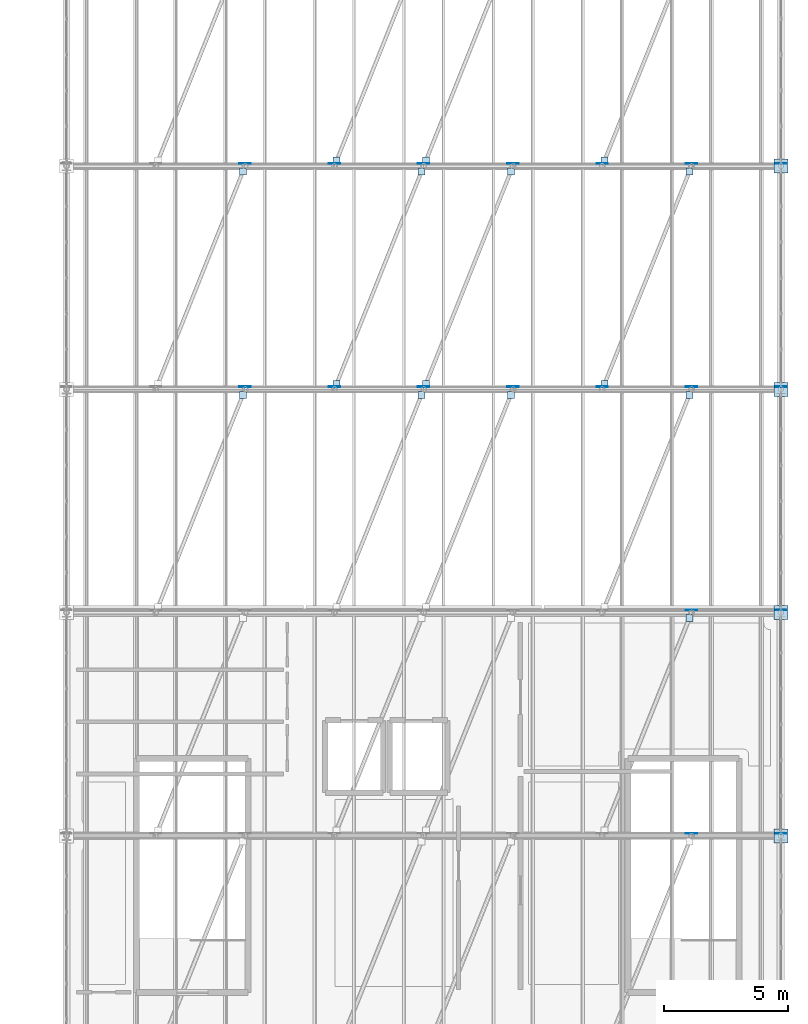
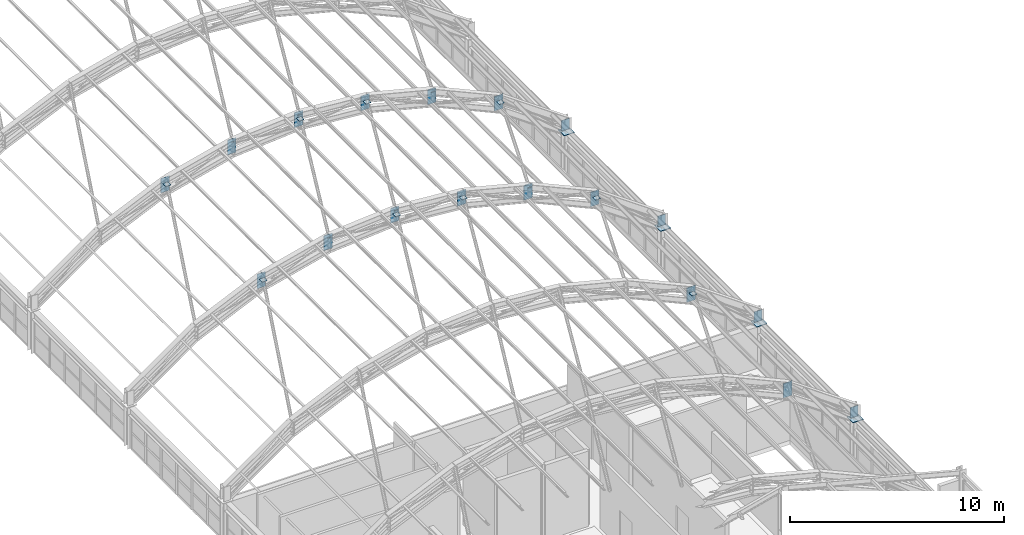
# One storey, part 110 of 121: 37 plates.
"""IFC4 building model written with IfcOpenShell, lengths in metres."""

from ifc_helpers import new_model, si_unit, direction, frame, origin, origin_2d, place, context, subcontext, project, spatial, rectangle, extrude, material, layer, layer_set, type_object, element, save


model = new_model("IFC4")

# Units and contexts
model_context = context("Model", 3, precision=1e-05, world=origin(), true_north=direction((0.0, 1.0)))
body_context = subcontext(model_context, "Body", "Model", "MODEL_VIEW")
ifc_project = project(units=[si_unit("LENGTHUNIT", "METRE"), si_unit("AREAUNIT", "SQUARE_METRE"), si_unit("VOLUMEUNIT", "CUBIC_METRE"), si_unit("PLANEANGLEUNIT", "RADIAN"), si_unit("MASSUNIT", "GRAM", prefix="KILO")], contexts=[model_context])

# Site, building, storey
site_placement = place(None, origin())
site = spatial("IfcSite", under=ifc_project, at=site_placement, CompositionType="ELEMENT")
building_placement = place(site_placement, origin())
building = spatial("IfcBuilding", under=site, at=building_placement, Name="Canglan Escarpment Cableway Terminal", CompositionType="ELEMENT")
storey_placement = place(building_placement, frame((0.0, 0.0, 24.60009765625)))
storey = spatial("IfcBuildingStorey", under=building, at=storey_placement, Name="L05", CompositionType="ELEMENT", Elevation=24.60009765625)

# Plates
ifc_material = material(Name="Steel Q355B", Category="steel")
ifc_layer_1 = layer(ifc_material, 0.031982421875, Name="Steel Q355B")
ifc_layer_set_1 = layer_set([ifc_layer_1], Name="Steel Q355B")
plate_type_1 = type_object("IfcPlateType", Name="PLT-BASE-32", PredefinedType="USERDEFINED", material=ifc_layer_set_1)
for number, where, z_axis, x_axis, name in (
    (1, (166.39990234375, 43.0, 2.4326171875), (0.0, 0.0, 1.0), (1.0, 0.0, 0.0), "Arch springing base plate BP-01"),
    (2, (166.39990234375, 52.0, 2.4326171875), (0.0, 0.0, 1.0), (1.0, 0.0, 0.0), "Arch springing base plate BP-01"),
    (3, (166.39990234375, 61.0, 2.4326171875), (0.0, 0.0, 1.0), (1.0, 0.0, 0.0), "Arch springing base plate BP-01"),
    (4, (166.39990234375, 70.0, 2.4326171875), (0.0, 0.0, 1.0), (1.0, 0.0, 0.0), "Arch springing base plate BP-01"),
):
    element("IfcPlate", number, at=place(storey_placement, frame(where, z_axis=z_axis, x_axis=x_axis)), inside=storey, type_object=plate_type_1, Name=name, ObjectType="BASE PLATE", PredefinedType="USERDEFINED", context=body_context, shape_type="SweptSolid", body=[
        extrude(rectangle(XDim=0.56005859375, YDim=0.56005859375, at=origin_2d()), origin(), (0.0, 0.0, 1.0), 0.031982421875),
    ])
ifc_layer_2 = layer(ifc_material, 0.01611328125, Name="Steel Q355B")
ifc_layer_set_2 = layer_set([ifc_layer_2], Name="Steel Q355B")
plate_type_2 = type_object("IfcPlateType", Name="PLT-GUSSET-16", PredefinedType="USERDEFINED", material=ifc_layer_set_2)
for number, where, z_axis, x_axis, name in (
    (5, (162.7109375, 51.777099609375, 5.5185546875), (0.0, 0.0, 1.0), (1.0, 0.0, 0.0), "Roof wind brace end gusset plate GP-03"),
    (6, (144.7109375, 60.777099609375, 7.140380859375), (0.0, 0.0, 1.0), (1.0, 0.0, 0.0), "Roof wind brace end gusset plate GP-03"),
    (7, (151.910888671875, 60.777099609375, 8.351806640625), (0.0, 0.0, 1.0), (1.0, 0.0, 0.0), "Roof wind brace end gusset plate GP-03"),
    (8, (155.510986328125, 60.777099609375, 8.055419921875), (0.0, 0.0, 1.0), (1.0, 0.0, 0.0), "Roof wind brace end gusset plate GP-03"),
    (9, (162.7109375, 60.777099609375, 5.5185546875), (0.0, 0.0, 1.0), (1.0, 0.0, 0.0), "Roof wind brace end gusset plate GP-03"),
    (10, (144.7109375, 69.777099609375, 7.140380859375), (0.0, 0.0, 1.0), (1.0, 0.0, 0.0), "Roof wind brace end gusset plate GP-03"),
    (11, (148.489013671875, 61.222900390625, 8.055419921875), (0.0, 0.0, 1.0), (1.0, 0.0, 0.0), "Roof wind brace end gusset plate GP-03"),
    (12, (151.910888671875, 69.777099609375, 8.351806640625), (0.0, 0.0, 1.0), (1.0, 0.0, 0.0), "Roof wind brace end gusset plate GP-03"),
    (13, (152.089111328125, 61.222900390625, 8.351806640625), (0.0, 0.0, 1.0), (1.0, 0.0, 0.0), "Roof wind brace end gusset plate GP-03"),
    (14, (155.510986328125, 69.777099609375, 8.055419921875), (0.0, 0.0, 1.0), (1.0, 0.0, 0.0), "Roof wind brace end gusset plate GP-03"),
    (15, (159.2890625, 61.222900390625, 7.140380859375), (0.0, 0.0, 1.0), (1.0, 0.0, 0.0), "Roof wind brace end gusset plate GP-03"),
    (16, (162.7109375, 69.777099609375, 5.5185546875), (0.0, 0.0, 1.0), (1.0, 0.0, 0.0), "Roof wind brace end gusset plate GP-03"),
    (17, (148.489013671875, 70.222900390625, 8.055419921875), (0.0, 0.0, 1.0), (1.0, 0.0, 0.0), "Roof wind brace end gusset plate GP-03"),
    (18, (152.089111328125, 70.222900390625, 8.351806640625), (0.0, 0.0, 1.0), (1.0, 0.0, 0.0), "Roof wind brace end gusset plate GP-03"),
    (19, (159.2890625, 70.222900390625, 7.140380859375), (0.0, 0.0, 1.0), (1.0, 0.0, 0.0), "Roof wind brace end gusset plate GP-03"),
):
    element("IfcPlate", number, at=place(storey_placement, frame(where, z_axis=z_axis, x_axis=x_axis)), inside=storey, type_object=plate_type_2, Name=name, ObjectType="GUSSET PLATE", PredefinedType="USERDEFINED", context=body_context, shape_type="SweptSolid", body=[
        extrude(rectangle(XDim=0.280029296875, YDim=0.280029296875, at=origin_2d()), origin(), (0.0, 0.0, 1.0), 0.01611328125),
    ])
ifc_layer_3 = layer(ifc_material, 0.02392578125, Name="Steel Q355B")
ifc_layer_set_3 = layer_set([ifc_layer_3], Name="Steel Q355B")
plate_type_3 = type_object("IfcPlateType", Name="PLT-GUSSET-24", PredefinedType="USERDEFINED", material=ifc_layer_set_3)
plate_1_placement = place(storey_placement, frame((162.800048828125, 43.10498046875, 4.87646484375), z_axis=(0.0, 0.0, 1.0), x_axis=(1.0, 0.0, 0.0)))
element("IfcPlate", 20, at=plate_1_placement, inside=storey, type_object=plate_type_3, Name="Arch-truss node gusset plate GP-01", ObjectType="GUSSET PLATE", PredefinedType="USERDEFINED", context=body_context, shape_type="SweptSolid", body=[
    extrude(rectangle(XDim=0.4599609375, YDim=0.02392578125, at=origin_2d()), origin(), (0.0, 0.0, 1.0), 0.830078125),
])
plate_2_placement = place(storey_placement, frame((166.39990234375, 43.10498046875, 2.4521484375), z_axis=(0.0, 0.0, 1.0), x_axis=(1.0, 0.0, 0.0)))
element("IfcPlate", 21, at=plate_2_placement, inside=storey, type_object=plate_type_3, Name="Arch-truss springing gusset plate GP-01", ObjectType="GUSSET PLATE", PredefinedType="USERDEFINED", context=body_context, shape_type="SweptSolid", body=[
    extrude(rectangle(XDim=0.419921875, YDim=0.02392578125, at=origin_2d()), origin(), (0.0, 0.0, 1.0), 0.610107421875),
])
plate_3_placement = place(storey_placement, frame((162.800048828125, 52.10498046875, 4.87646484375), z_axis=(0.0, 0.0, 1.0), x_axis=(1.0, 0.0, 0.0)))
element("IfcPlate", 22, at=plate_3_placement, inside=storey, type_object=plate_type_3, Name="Arch-truss node gusset plate GP-01", ObjectType="GUSSET PLATE", PredefinedType="USERDEFINED", context=body_context, shape_type="SweptSolid", body=[
    extrude(rectangle(XDim=0.4599609375, YDim=0.02392578125, at=origin_2d()), origin(), (0.0, 0.0, 1.0), 0.830078125),
])
plate_4_placement = place(storey_placement, frame((166.39990234375, 52.10498046875, 2.4521484375), z_axis=(0.0, 0.0, 1.0), x_axis=(1.0, 0.0, 0.0)))
element("IfcPlate", 23, at=plate_4_placement, inside=storey, type_object=plate_type_3, Name="Arch-truss springing gusset plate GP-01", ObjectType="GUSSET PLATE", PredefinedType="USERDEFINED", context=body_context, shape_type="SweptSolid", body=[
    extrude(rectangle(XDim=0.419921875, YDim=0.02392578125, at=origin_2d()), origin(), (0.0, 0.0, 1.0), 0.610107421875),
])
for number, where, z_axis, x_axis, name in (
    (24, (144.800048828125, 61.10498046875, 6.498291015625), (0.0, 0.0, 1.0), (1.0, 0.0, 0.0), "Arch-truss node gusset plate GP-01"),
    (25, (148.39990234375, 61.10498046875, 7.413330078125), (0.0, 0.0, 1.0), (1.0, 0.0, 0.0), "Arch-truss node gusset plate GP-01"),
    (26, (152.0, 61.10498046875, 7.7099609375), (0.0, 0.0, 1.0), (1.0, 0.0, 0.0), "Arch-truss node gusset plate GP-01"),
    (27, (155.60009765625, 61.10498046875, 7.413330078125), (0.0, 0.0, 1.0), (1.0, 0.0, 0.0), "Arch-truss node gusset plate GP-01"),
    (28, (159.199951171875, 61.10498046875, 6.498291015625), (0.0, 0.0, 1.0), (1.0, 0.0, 0.0), "Arch-truss node gusset plate GP-01"),
    (29, (162.800048828125, 61.10498046875, 4.87646484375), (0.0, 0.0, 1.0), (1.0, 0.0, 0.0), "Arch-truss node gusset plate GP-01"),
):
    element("IfcPlate", number, at=place(storey_placement, frame(where, z_axis=z_axis, x_axis=x_axis)), inside=storey, type_object=plate_type_3, Name=name, ObjectType="GUSSET PLATE", PredefinedType="USERDEFINED", context=body_context, shape_type="SweptSolid", body=[
        extrude(rectangle(XDim=0.4599609375, YDim=0.02392578125, at=origin_2d()), origin(), (0.0, 0.0, 1.0), 0.830078125),
    ])
plate_5_placement = place(storey_placement, frame((166.39990234375, 61.10498046875, 2.4521484375), z_axis=(0.0, 0.0, 1.0), x_axis=(1.0, 0.0, 0.0)))
element("IfcPlate", 30, at=plate_5_placement, inside=storey, type_object=plate_type_3, Name="Arch-truss springing gusset plate GP-01", ObjectType="GUSSET PLATE", PredefinedType="USERDEFINED", context=body_context, shape_type="SweptSolid", body=[
    extrude(rectangle(XDim=0.419921875, YDim=0.02392578125, at=origin_2d()), origin(), (0.0, 0.0, 1.0), 0.610107421875),
])
for number, where, z_axis, x_axis, name in (
    (31, (144.800048828125, 70.10498046875, 6.498291015625), (0.0, 0.0, 1.0), (1.0, 0.0, 0.0), "Arch-truss node gusset plate GP-01"),
    (32, (148.39990234375, 70.10498046875, 7.413330078125), (0.0, 0.0, 1.0), (1.0, 0.0, 0.0), "Arch-truss node gusset plate GP-01"),
    (33, (152.0, 70.10498046875, 7.7099609375), (0.0, 0.0, 1.0), (1.0, 0.0, 0.0), "Arch-truss node gusset plate GP-01"),
    (34, (155.60009765625, 70.10498046875, 7.413330078125), (0.0, 0.0, 1.0), (1.0, 0.0, 0.0), "Arch-truss node gusset plate GP-01"),
    (35, (159.199951171875, 70.10498046875, 6.498291015625), (0.0, 0.0, 1.0), (1.0, 0.0, 0.0), "Arch-truss node gusset plate GP-01"),
    (36, (162.800048828125, 70.10498046875, 4.87646484375), (0.0, 0.0, 1.0), (1.0, 0.0, 0.0), "Arch-truss node gusset plate GP-01"),
):
    element("IfcPlate", number, at=place(storey_placement, frame(where, z_axis=z_axis, x_axis=x_axis)), inside=storey, type_object=plate_type_3, Name=name, ObjectType="GUSSET PLATE", PredefinedType="USERDEFINED", context=body_context, shape_type="SweptSolid", body=[
        extrude(rectangle(XDim=0.4599609375, YDim=0.02392578125, at=origin_2d()), origin(), (0.0, 0.0, 1.0), 0.830078125),
    ])
plate_6_placement = place(storey_placement, frame((166.39990234375, 70.10498046875, 2.4521484375), z_axis=(0.0, 0.0, 1.0), x_axis=(1.0, 0.0, 0.0)))
element("IfcPlate", 37, at=plate_6_placement, inside=storey, type_object=plate_type_3, Name="Arch-truss springing gusset plate GP-01", ObjectType="GUSSET PLATE", PredefinedType="USERDEFINED", context=body_context, shape_type="SweptSolid", body=[
    extrude(rectangle(XDim=0.419921875, YDim=0.02392578125, at=origin_2d()), origin(), (0.0, 0.0, 1.0), 0.610107421875),
])

save(model, "model.ifc")
